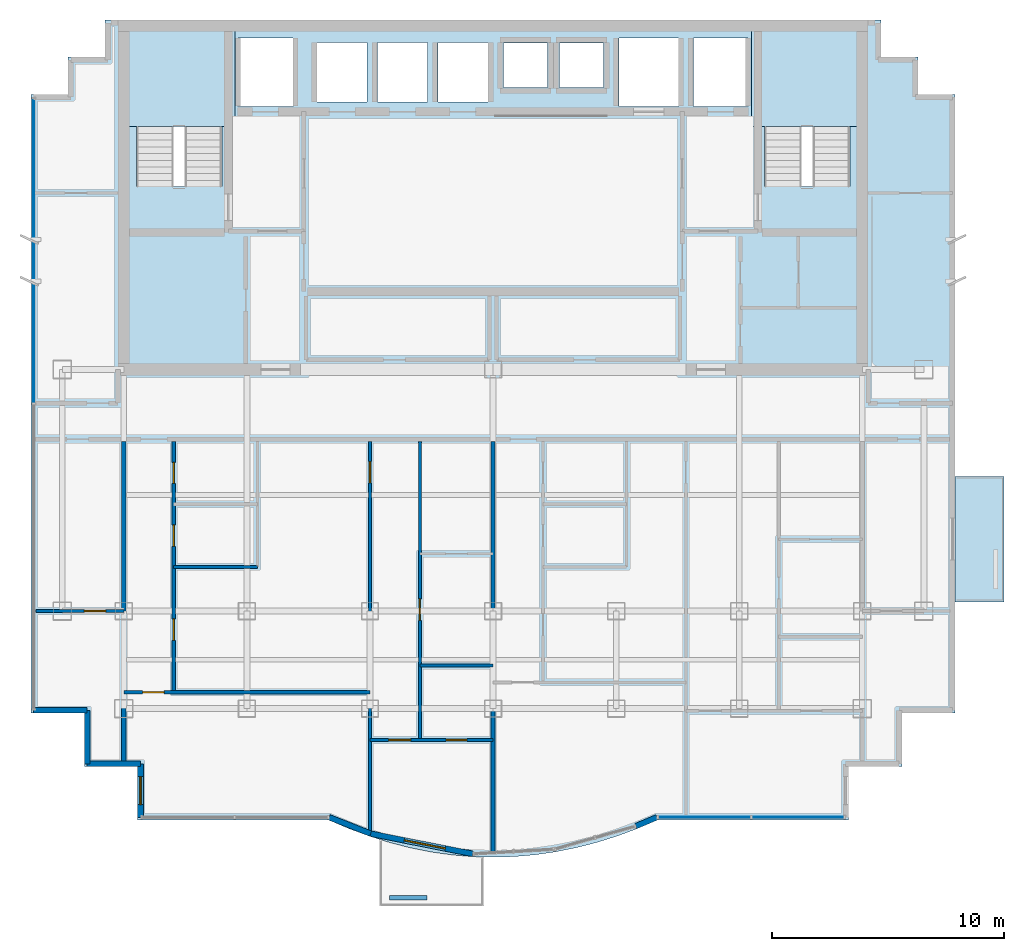
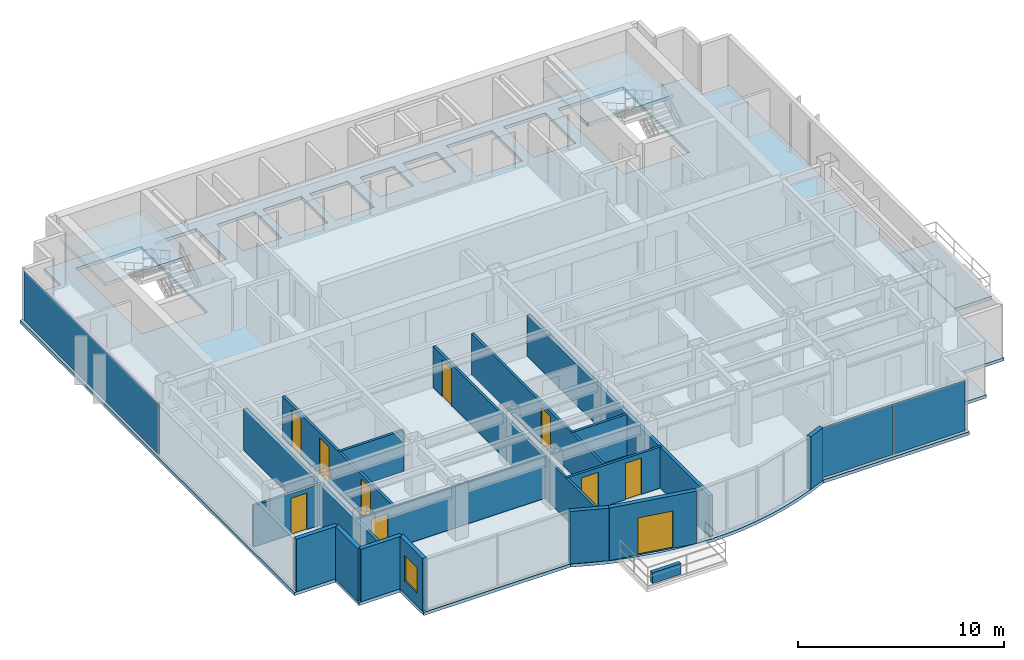
# One storey, part 6 of 11: 18 walls, 10 doors, 4 slabs, 3 plates, 1 window, 11 openings, 4 elements without a shape of their own.
"""IFC4 building model written with IfcOpenShell, lengths in metres."""

from ifc_helpers import new_model, si_unit, direction, frame, frame_2d, origin, origin_2d, place, context, subcontext, project, spatial, polyline, rectangle, outline, extrude, source, transform, mapped, material, layer, layer_set, type_object, element, fill, aggregate, save


model = new_model("IFC4")

# Units and contexts
model_context = context("Model", 3, precision=1e-05, world=origin(), true_north=direction((0.0, 1.0)))
body_context = subcontext(model_context, "Body", "Model", "MODEL_VIEW")
ifc_project = project(units=[si_unit("LENGTHUNIT", "METRE"), si_unit("AREAUNIT", "SQUARE_METRE"), si_unit("VOLUMEUNIT", "CUBIC_METRE"), si_unit("PLANEANGLEUNIT", "RADIAN"), si_unit("MASSUNIT", "GRAM", prefix="KILO")], contexts=[model_context])

# Site, building, storey
site_placement = place(None, origin())
site = spatial("IfcSite", under=ifc_project, at=site_placement, CompositionType="ELEMENT")
building_placement = place(site_placement, origin())
building = spatial("IfcBuilding", under=site, at=building_placement, Name="Qianlan Lanfeng Residences", CompositionType="ELEMENT")
storey_placement = place(building_placement, frame((0.0, 0.0, 226.39990234375)))
storey = spatial("IfcBuildingStorey", under=building, at=storey_placement, Name="L62", CompositionType="ELEMENT", Elevation=226.39990234375)

# Slabs
ifc_material_1 = material(Name="Concrete C42", Category="concrete")
ifc_layer_1 = layer(ifc_material_1, 0.199951171875)
ifc_layer_set_1 = layer_set([ifc_layer_1], Name="Concrete C42")
slab_type_1 = type_object("IfcSlabType", Name="S-BAL-200", PredefinedType="FLOOR", material=ifc_layer_set_1)
slab_1_placement = place(storey_placement, frame((0.0, 0.0, -0.199951171875)))
element("IfcSlab", 1, at=slab_1_placement, inside=storey, type_object=slab_type_1, Name="L62 Planted Tree Balcony Slab EB-S", PredefinedType="FLOOR", context=body_context, shape_type="SweptSolid", body=[
    extrude(outline(polyline([(46.39990234375, 20.60009765625), (46.39990234375, 15.199951171875), (48.5, 15.199951171875), (48.5, 20.60009765625), (46.39990234375, 20.60009765625)])), origin(), (0.0, 0.0, 1.0), 0.199951171875),
])
ifc_layer_2 = layer(ifc_material_1, 0.18994140625)
ifc_layer_set_2 = layer_set([ifc_layer_2], Name="Concrete C42")
slab_type_2 = type_object("IfcSlabType", Name="S-FL-190", PredefinedType="FLOOR", material=ifc_layer_set_2)
slab_2_placement = place(storey_placement, frame((0.0, 0.0, -0.18994140625)))
element("IfcSlab", 2, at=slab_2_placement, inside=storey, type_object=slab_type_2, Name="L62 Structural Floor Slab", PredefinedType="FLOOR", context=body_context, shape_type="SweptSolid", body=[
    extrude(outline(polyline([(6.60009765625, 10.39990234375), (8.89990234375, 10.39990234375), (8.89990234375, 8.10009765625), (11.199951171875, 8.10009765625), (11.199951171875, 5.800048828125), (19.419921875, 5.800048828125), (20.304931640625, 5.425048828125), (21.18994140625, 5.10009765625), (22.074951171875, 4.824951171875), (22.9599609375, 4.60009765625), (23.844970703125, 4.425048828125), (24.72998046875, 4.300048828125), (25.614990234375, 4.22509765625), (26.5, 4.199951171875), (27.385009765625, 4.22509765625), (28.27001953125, 4.300048828125), (29.155029296875, 4.425048828125), (30.0400390625, 4.60009765625), (30.925048828125, 4.824951171875), (31.81005859375, 5.10009765625), (32.695068359375, 5.425048828125), (33.580078125, 5.800048828125), (41.800048828125, 5.800048828125), (41.800048828125, 8.10009765625), (44.10009765625, 8.10009765625), (44.10009765625, 10.39990234375), (46.39990234375, 10.39990234375), (46.39990234375, 37.050048828125), (44.800048828125, 37.050048828125), (44.800048828125, 38.64990234375), (43.199951171875, 38.64990234375), (43.199951171875, 40.25), (9.800048828125, 40.25), (9.800048828125, 38.64990234375), (8.199951171875, 38.64990234375), (8.199951171875, 37.050048828125), (6.60009765625, 37.050048828125), (6.60009765625, 10.39990234375)]), holes=[polyline([(11.139892578125, 33.080078125), (11.139892578125, 39.5), (14.820068359375, 39.5), (14.820068359375, 33.080078125), (11.139892578125, 33.080078125)]), polyline([(38.179931640625, 33.080078125), (38.179931640625, 39.5), (41.860107421875, 39.5), (41.860107421875, 33.080078125), (38.179931640625, 33.080078125)]), polyline([(15.52001953125, 36.52001953125), (15.52001953125, 39.47998046875), (17.8798828125, 39.47998046875), (17.8798828125, 36.52001953125), (15.52001953125, 36.52001953125)]), polyline([(35.1201171875, 36.52001953125), (35.1201171875, 39.47998046875), (37.47998046875, 39.47998046875), (37.47998046875, 36.52001953125), (35.1201171875, 36.52001953125)]), polyline([(31.919921875, 36.52001953125), (31.919921875, 39.47998046875), (34.47998046875, 39.47998046875), (34.47998046875, 36.52001953125), (31.919921875, 36.52001953125)]), polyline([(18.919921875, 36.719970703125), (18.919921875, 39.280029296875), (21.080078125, 39.280029296875), (21.080078125, 36.719970703125), (18.919921875, 36.719970703125)]), polyline([(21.52001953125, 36.719970703125), (21.52001953125, 39.280029296875), (23.679931640625, 39.280029296875), (23.679931640625, 36.719970703125), (21.52001953125, 36.719970703125)]), polyline([(24.1201171875, 36.719970703125), (24.1201171875, 39.280029296875), (26.280029296875, 39.280029296875), (26.280029296875, 36.719970703125), (24.1201171875, 36.719970703125)]), polyline([(26.949951171875, 37.35009765625), (26.949951171875, 39.25), (28.85009765625, 39.25), (28.85009765625, 37.35009765625), (26.949951171875, 37.35009765625)]), polyline([(29.35009765625, 37.35009765625), (29.35009765625, 39.25), (31.25, 39.25), (31.25, 37.35009765625), (29.35009765625, 37.35009765625)])]), origin(), (0.0, 0.0, 1.0), 0.18994140625),
])

# Stair, slab
stair_type = type_object("IfcStairType", Name="STR-MAIN", PredefinedType="HALF_TURN_STAIR", material=ifc_material_1)
stair_1_placement = place(storey_placement, origin())
stair_1 = element("IfcStair", 3, at=stair_1_placement, inside=storey, type_object=stair_type, Name="L62 Exit Stair ST-1", PredefinedType="HALF_TURN_STAIR")
ifc_layer_3 = layer(ifc_material_1, 0.179931640625)
ifc_layer_set_3 = layer_set([ifc_layer_3], Name="Concrete C42")
slab_type_3 = type_object("IfcSlabType", Name="S-LND-180", PredefinedType="LANDING", material=ifc_layer_set_3)
slab_3_placement = place(storey_placement, frame((0.0, 0.0, 1.4501953125)))
slab_3 = element("IfcSlab", 4, at=slab_3_placement, type_object=slab_type_3, Name="ST-1 landing 1", PredefinedType="LANDING", context=body_context, shape_type="SweptSolid", body=[
    extrude(outline(polyline([(10.580078125, 35.659912109375), (15.3798828125, 35.659912109375), (15.3798828125, 40.050048828125), (10.580078125, 40.050048828125), (10.580078125, 35.659912109375)])), origin(), (0.0, 0.0, 1.0), 0.199951171875),
])
aggregate(stair_1, [slab_3])

stair_2_placement = place(storey_placement, origin())
stair_2 = element("IfcStair", 5, at=stair_2_placement, inside=storey, type_object=stair_type, Name="L62 Exit Stair ST-2", PredefinedType="HALF_TURN_STAIR")
slab_4_placement = place(storey_placement, frame((0.0, 0.0, 1.4501953125)))
slab_4 = element("IfcSlab", 6, at=slab_4_placement, type_object=slab_type_3, Name="ST-2 landing 1", PredefinedType="LANDING", context=body_context, shape_type="SweptSolid", body=[
    extrude(outline(polyline([(37.6201171875, 35.659912109375), (42.419921875, 35.659912109375), (42.419921875, 40.050048828125), (37.6201171875, 40.050048828125), (37.6201171875, 35.659912109375)])), origin(), (0.0, 0.0, 1.0), 0.199951171875),
])
aggregate(stair_2, [slab_4])

# Curtain wall, plate
ifc_material_2 = material(Name="Anodised Bronze Aluminium 6063-T6", Category="aluminium")
ifc_layer_4 = layer(ifc_material_2, 0.219970703125)
ifc_layer_set_4 = layer_set([ifc_layer_4], Name="Anodised Bronze Aluminium 6063-T6")
curtain_wall_type = type_object("IfcCurtainWallType", Name="CW-05", PredefinedType="NOTDEFINED", material=ifc_layer_set_4)
curtain_wall_1_placement = place(storey_placement, origin())
curtain_wall_1 = element("IfcCurtainWall", 7, at=curtain_wall_1_placement, inside=storey, type_object=curtain_wall_type, Name="L62 Unitised Curtain Wall CWR-L62-04 (CW-05)", PredefinedType="NOTDEFINED")
ifc_material_3 = material(Name="Dark Bronze Tinted Insulated Glass", Category="glass")
ifc_layer_5 = layer(ifc_material_3, 0.0380859375)
ifc_layer_set_5 = layer_set([ifc_layer_5], Name="Dark Bronze Tinted Insulated Glass")
plate_type_1 = type_object("IfcPlateType", Name="PNL-GLZ-BRZ", PredefinedType="CURTAIN_PANEL", material=ifc_layer_set_5)
shared_shape_1 = source(origin(), body_context, "Body", "SweptSolid", [
    extrude(rectangle(XDim=3.951416015625, YDim=0.0380859375, at=origin_2d()), origin(), (0.0, 0.0, 1.0), 2.9619140625),
])
plate_1_placement = place(storey_placement, frame((35.605712890625, 5.919921875, 0.07421875), z_axis=(0.0, 0.0, 1.0), x_axis=(1.0, 0.0, 0.0)))
plate_1 = element("IfcPlate", 8, at=plate_1_placement, type_object=plate_type_1, Name="CWR-L62-04 Curtain Panel 1", PredefinedType="CURTAIN_PANEL", context=body_context, shape_type="MappedRepresentation", body=[
    mapped(shared_shape_1, transform((0.0, 0.0, 0.0), scale=1.0)),
])

curtain_wall_2_placement = place(storey_placement, origin())
curtain_wall_2 = element("IfcCurtainWall", 9, at=curtain_wall_2_placement, inside=storey, type_object=curtain_wall_type, Name="L62 Unitised Curtain Wall CWR-L62-05 (CW-05)", PredefinedType="NOTDEFINED")
shared_shape_2 = source(origin(), body_context, "Body", "SweptSolid", [
    extrude(rectangle(XDim=13.094482421875, YDim=0.0380859375, at=origin_2d()), origin(), (0.0, 0.0, 1.0), 2.9619140625),
])
plate_2_placement = place(storey_placement, frame((6.719970703125, 30.30859375, 0.07421875), z_axis=(0.0, 0.0, 1.0), x_axis=(0.0, -1.0, 0.0)))
plate_2 = element("IfcPlate", 10, at=plate_2_placement, type_object=plate_type_1, Name="CWR-L62-05 Curtain Panel 1", PredefinedType="CURTAIN_PANEL", context=body_context, shape_type="MappedRepresentation", body=[
    mapped(shared_shape_2, transform((0.0, 0.0, 0.0), scale=1.0)),
])
aggregate(curtain_wall_2, [plate_2])

# Plate
ifc_material_4 = material(Name="Perforated Champagne Gold Aluminium Panel", Category="aluminium")
ifc_layer_6 = layer(ifc_material_4, 0.0400390625)
ifc_layer_set_6 = layer_set([ifc_layer_6], Name="Perforated Champagne Gold Aluminium Panel")
plate_type_2 = type_object("IfcPlateType", Name="PNL-PRF-GLD", PredefinedType="CURTAIN_PANEL", material=ifc_layer_set_6)
shared_shape_3 = source(origin(), body_context, "Body", "SweptSolid", [
    extrude(rectangle(XDim=3.951416015625, YDim=0.0400390625, at=origin_2d()), origin(), (0.0, 0.0, 1.0), 2.9619140625),
])
plate_3_placement = place(storey_placement, frame((39.630126953125, 5.919921875, 0.07421875), z_axis=(0.0, 0.0, 1.0), x_axis=(1.0, 0.0, 0.0)))
plate_3 = element("IfcPlate", 11, at=plate_3_placement, type_object=plate_type_2, Name="CWR-L62-04 Curtain Panel 2", PredefinedType="CURTAIN_PANEL", context=body_context, shape_type="MappedRepresentation", body=[
    mapped(shared_shape_3, transform((0.0, 0.0, 0.0), scale=1.0)),
])

aggregate(curtain_wall_1, [plate_1, plate_3])

# Walls
ifc_layer_7 = layer(ifc_material_1, 0.239990234375)
ifc_layer_set_7 = layer_set([ifc_layer_7], Name="Concrete C42")
wall_type_1 = type_object("IfcWallType", Name="EW-240", PredefinedType="SOLIDWALL", material=ifc_layer_set_7)
for number, where, z_axis, x_axis, name in (
    (12, (6.719970703125, 10.52001953125, 0.0), (0.0, 0.0, 1.0), (1.0, 0.0, 0.0), "L62 Exterior Facade Spandrel Wall 1"),
    (13, (9.02001953125, 10.52001953125, 0.0), (0.0, 0.0, 1.0), (0.0, -1.0, 0.0), "L62 Exterior Facade Spandrel Wall 2"),
    (14, (9.02001953125, 8.219970703125, 0.0), (0.0, 0.0, 1.0), (1.0, 0.0, 0.0), "L62 Exterior Facade Spandrel Wall 3"),
):
    element("IfcWall", number, at=place(storey_placement, frame(where, z_axis=z_axis, x_axis=x_axis)), inside=storey, type_object=wall_type_1, Name=name, PredefinedType="SOLIDWALL", context=body_context, shape_type="SweptSolid", body=[
        extrude(rectangle(XDim=2.300048828125, YDim=0.239990234375, at=frame_2d((1.14990234375, 0.0))), origin(), (0.0, 0.0, 1.0), 3.110107421875),
    ])

# Wall, opening, window
wall_1_placement = place(storey_placement, frame((11.320068359375, 8.219970703125, 0.0), z_axis=(0.0, 0.0, 1.0), x_axis=(0.0, -1.0, 0.0)))
wall_1 = element("IfcWall", 15, at=wall_1_placement, inside=storey, type_object=wall_type_1, Name="L62 Exterior Facade Spandrel Wall 4", PredefinedType="SOLIDWALL", context=body_context, shape_type="SweptSolid", body=[
    extrude(rectangle(XDim=2.300048828125, YDim=0.239990234375, at=frame_2d((1.14990234375, 0.0))), origin(), (0.0, 0.0, 1.0), 3.110107421875),
])
opening_1_placement = place(wall_1_placement, frame((0.550048828125, 0.0, 0.75)))
opening_1 = element("IfcOpeningElement", 16, at=opening_1_placement, cuts=wall_1, Name="Opening W-03", PredefinedType="OPENING", context=body_context, shape_type="SweptSolid", body=[
    extrude(rectangle(XDim=1.199951171875, YDim=1.5, at=frame_2d((0.60009765625, 0.75))), frame((0.0, 0.1298828125, 0.0), z_axis=(0.0, -1.0, 0.0), x_axis=(1.0, 0.0, 0.0)), (0.0, 0.0, 1.0), 0.260009765625),
])
ifc_material_5 = material(Name="Anodised Bronze Aluminium Framed Double Glazing", Category="aluminium")
window_type = type_object("IfcWindowType", Name="W-03", PartitioningType="SINGLE_PANEL", PredefinedType="WINDOW", material=ifc_material_5)
window_placement = place(opening_1_placement, origin())
window = element("IfcWindow", 17, at=window_placement, inside=storey, type_object=window_type, Name="L62 Facade Punched Window W-03", OverallHeight=1.5, OverallWidth=1.199951171875, PartitioningType="SINGLE_PANEL", PredefinedType="WINDOW", context=body_context, shape_type="SweptSolid", body=[
    extrude(rectangle(XDim=1.199951171875, YDim=1.5, at=frame_2d((0.60009765625, 0.75))), frame((0.0, 0.030029296875, 0.0), z_axis=(0.0, -1.0, 0.0), x_axis=(1.0, 0.0, 0.0)), (0.0, 0.0, 1.0), 0.06005859375),
])
fill(opening_1, window)

# Wall
wall_2_placement = place(storey_placement, frame((19.444091796875, 5.919921875, 0.0), z_axis=(0.0, 0.0, 1.0), x_axis=(0.92993442177, -0.367725401906, 0.0)))
element("IfcWall", 18, at=wall_2_placement, inside=storey, type_object=wall_type_1, Name="L62 Exterior Facade Spandrel Wall 5", PredefinedType="SOLIDWALL", context=body_context, shape_type="SweptSolid", body=[
    extrude(rectangle(XDim=1.91943359375, YDim=0.239990234375, at=frame_2d((0.959716796875, 0.0))), origin(), (0.0, 0.0, 1.0), 3.110107421875),
])

# Wall, opening, door
wall_3_placement = place(storey_placement, frame((21.22900390625, 5.214111328125, 0.0), z_axis=(0.0, 0.0, 1.0), x_axis=(0.980985349685, -0.194081796425, 0.0)))
wall_3 = element("IfcWall", 19, at=wall_3_placement, inside=storey, type_object=wall_type_1, Name="L62 Terrace/Balcony Access Exterior Wall 6", PredefinedType="SOLIDWALL", context=body_context, shape_type="SweptSolid", body=[
    extrude(rectangle(XDim=4.478271484375, YDim=0.239990234375, at=frame_2d((2.2392578125, 0.0))), origin(), (0.0, 0.0, 1.0), 3.110107421875),
])
opening_2_placement = place(wall_3_placement, frame((1.472900390625, 0.0, 0.0)))
opening_2 = element("IfcOpeningElement", 20, at=opening_2_placement, cuts=wall_3, Name="Opening L62-D-SB-C", PredefinedType="OPENING", context=body_context, shape_type="SweptSolid", body=[
    extrude(rectangle(XDim=1.800048828125, YDim=2.199951171875, at=frame_2d((0.89990234375, 1.10009765625))), frame((0.0, 0.1298828125, 0.0), z_axis=(0.0, -1.0, 0.0), x_axis=(1.0, 0.0, 0.0)), (0.0, 0.0, 1.0), 0.260009765625),
])
ifc_material_6 = material(Name="Anodised Bronze Aluminium Framed Glass", Category="aluminium")
door_type_1 = type_object("IfcDoorType", Name="DT-BAL1", OperationType="NOTDEFINED", PredefinedType="DOOR", material=ifc_material_6)
door_1_placement = place(opening_2_placement, frame((1.800048828125, 0.0, 0.0), z_axis=(0.0, 0.0, 1.0), x_axis=(-1.0, 0.0, 0.0)))
door_1 = element("IfcDoor", 21, at=door_1_placement, inside=storey, type_object=door_type_1, Name="L62 Exterior Access Door SB-C", OperationType="DOUBLE_DOOR_SLIDING", OverallHeight=2.199951171875, OverallWidth=1.800048828125, PredefinedType="DOOR", context=body_context, shape_type="SweptSolid", body=[
    extrude(rectangle(XDim=1.800048828125, YDim=2.199951171875, at=frame_2d((0.89990234375, 1.10009765625))), frame((0.0, 0.02490234375, 0.0), z_axis=(0.0, -1.0, 0.0), x_axis=(1.0, 0.0, 0.0)), (0.0, 0.0, 1.0), 0.050048828125),
])
fill(opening_2, door_1)

# Walls
wall_4_placement = place(storey_placement, frame((32.65087890625, 5.537109375, 0.0), z_axis=(0.0, 0.0, 1.0), x_axis=(0.920998109395, 0.389567044924, 0.0)))
element("IfcWall", 22, at=wall_4_placement, inside=storey, type_object=wall_type_1, Name="L62 Exterior Facade Spandrel Wall 7", PredefinedType="SOLIDWALL", context=body_context, shape_type="SweptSolid", body=[
    extrude(rectangle(XDim=0.982666015625, YDim=0.239990234375, at=frame_2d((0.4912109375, 0.0))), origin(), (0.0, 0.0, 1.0), 3.110107421875),
])
ifc_layer_8 = layer(ifc_material_1, 0.199951171875)
ifc_layer_set_8 = layer_set([ifc_layer_8], Name="Concrete C42")
wall_type_2 = type_object("IfcWallType", Name="PL-TREE-200", PredefinedType="PARAPET", material=ifc_layer_set_8)
wall_5_placement = place(storey_placement, frame((22.050048828125, 2.449951171875, 0.0), z_axis=(0.0, 0.0, 1.0), x_axis=(1.0, 0.0, 0.0)))
element("IfcWall", 23, at=wall_5_placement, inside=storey, type_object=wall_type_2, Name="L62 Balcony Tree Planter Curb SB-C", PredefinedType="PARAPET", context=body_context, shape_type="SweptSolid", body=[
    extrude(rectangle(XDim=1.599853515625, YDim=0.199951171875, at=frame_2d((0.7998046875, 0.0))), origin(), (0.0, 0.0, 1.0), 0.650146484375),
])

# Wall, opening, door
ifc_material_7 = material(Name="Moisture-Resistant Gypsum Partition 135 mm")
ifc_layer_9 = layer(ifc_material_7, 0.135009765625)
ifc_layer_set_9 = layer_set([ifc_layer_9], Name="Moisture-Resistant Gypsum Partition 135 mm")
wall_type_3 = type_object("IfcWallType", Name="PW-135", PredefinedType="PARTITIONING", material=ifc_layer_set_9)
wall_6_placement = place(storey_placement, frame((21.199951171875, 5.3310546875, 0.0), z_axis=(0.0, 0.0, 1.0), x_axis=(0.0, 1.0, 0.0)))
wall_6 = element("IfcWall", 24, at=wall_6_placement, inside=storey, type_object=wall_type_3, Name="L62 U01 Bay Spine Wall 1", PredefinedType="PARTITIONING", context=body_context, shape_type="SweptSolid", body=[
    extrude(rectangle(XDim=16.76904296875, YDim=0.135009765625, at=frame_2d((8.384521484375, 0.0))), origin(), (0.0, 0.0, 1.0), 2.43017578125),
])
opening_3_placement = place(wall_6_placement, frame((14.98388671875, 0.0, 0.0)))
opening_3 = element("IfcOpeningElement", 25, at=opening_3_placement, cuts=wall_6, Name="Opening L62-D18", PredefinedType="OPENING", context=body_context, shape_type="SweptSolid", body=[
    extrude(rectangle(XDim=0.919921875, YDim=2.14990234375, at=frame_2d((0.4599609375, 1.074951171875))), frame((0.0, 0.07763671875, 0.0), z_axis=(0.0, -1.0, 0.0), x_axis=(1.0, 0.0, 0.0)), (0.0, 0.0, 1.0), 0.155029296875),
])
ifc_material_8 = material(Name="Glazed Timber Kitchen/Study Door", Category="wood")
door_type_2 = type_object("IfcDoorType", Name="DT-INT", OperationType="NOTDEFINED", PredefinedType="DOOR", material=ifc_material_8)
door_2_placement = place(opening_3_placement, origin())
door_2 = element("IfcDoor", 26, at=door_2_placement, inside=storey, type_object=door_type_2, Name="L62 U01 Internal Hall Door L62-D18 (DT-INT)", OperationType="SINGLE_SWING_LEFT", OverallHeight=2.14990234375, OverallWidth=0.919921875, PredefinedType="DOOR", context=body_context, shape_type="SweptSolid", body=[
    extrude(rectangle(XDim=0.919921875, YDim=2.14990234375, at=frame_2d((0.4599609375, 1.074951171875))), frame((0.0, 0.02490234375, 0.0), z_axis=(0.0, -1.0, 0.0), x_axis=(1.0, 0.0, 0.0)), (0.0, 0.0, 1.0), 0.050048828125),
])
fill(opening_3, door_2)

wall_7_placement = place(storey_placement, frame((10.60009765625, 11.302978515625, 0.0), z_axis=(0.0, 0.0, 1.0), x_axis=(1.0, 0.0, 0.0)))
wall_7 = element("IfcWall", 27, at=wall_7_placement, inside=storey, type_object=wall_type_3, Name="L62 U01 Living Divider", PredefinedType="PARTITIONING", context=body_context, shape_type="SweptSolid", body=[
    extrude(rectangle(XDim=10.599853515625, YDim=0.135009765625, at=frame_2d((5.2998046875, 0.0))), origin(), (0.0, 0.0, 1.0), 2.43017578125),
])
opening_4_placement = place(wall_7_placement, frame((0.81494140625, 0.0, 0.0)))
opening_4 = element("IfcOpeningElement", 28, at=opening_4_placement, cuts=wall_7, Name="Opening L62-D19", PredefinedType="OPENING", context=body_context, shape_type="SweptSolid", body=[
    extrude(rectangle(XDim=0.919921875, YDim=2.14990234375, at=frame_2d((0.4599609375, 1.074951171875))), frame((0.0, 0.07763671875, 0.0), z_axis=(0.0, -1.0, 0.0), x_axis=(1.0, 0.0, 0.0)), (0.0, 0.0, 1.0), 0.155029296875),
])
door_3_placement = place(opening_4_placement, origin())
door_3 = element("IfcDoor", 29, at=door_3_placement, inside=storey, type_object=door_type_2, Name="L62 U01 Living Passage Door L62-D19 (DT-INT)", OperationType="SINGLE_SWING_LEFT", OverallHeight=2.14990234375, OverallWidth=0.919921875, PredefinedType="DOOR", context=body_context, shape_type="SweptSolid", body=[
    extrude(rectangle(XDim=0.919921875, YDim=2.14990234375, at=frame_2d((0.4599609375, 1.074951171875))), frame((0.0, 0.02490234375, 0.0), z_axis=(0.0, -1.0, 0.0), x_axis=(1.0, 0.0, 0.0)), (0.0, 0.0, 1.0), 0.050048828125),
])
fill(opening_4, door_3)

# Wall, openings, doors
wall_8_placement = place(storey_placement, frame((12.75, 11.302978515625, 0.0), z_axis=(0.0, 0.0, 1.0), x_axis=(0.0, 1.0, 0.0)))
wall_8 = element("IfcWall", 30, at=wall_8_placement, inside=storey, type_object=wall_type_3, Name="L62 U01 Entry Hall Spine", PredefinedType="PARTITIONING", context=body_context, shape_type="SweptSolid", body=[
    extrude(rectangle(XDim=10.797119140625, YDim=0.135009765625, at=frame_2d((5.3984375, 0.0))), origin(), (0.0, 0.0, 1.0), 2.43017578125),
])
opening_5_placement = place(wall_8_placement, frame((2.239013671875, 0.0, 0.0)))
opening_5 = element("IfcOpeningElement", 31, at=opening_5_placement, cuts=wall_8, Name="Opening L62-D20", PredefinedType="OPENING", context=body_context, shape_type="SweptSolid", body=[
    extrude(rectangle(XDim=0.919921875, YDim=2.14990234375, at=frame_2d((0.4599609375, 1.074951171875))), frame((0.0, 0.07763671875, 0.0), z_axis=(0.0, -1.0, 0.0), x_axis=(1.0, 0.0, 0.0)), (0.0, 0.0, 1.0), 0.155029296875),
])
opening_6_placement = place(wall_8_placement, frame((6.287109375, 0.0, 0.0)))
opening_6 = element("IfcOpeningElement", 32, at=opening_6_placement, cuts=wall_8, Name="Opening L62-D21", PredefinedType="OPENING", context=body_context, shape_type="SweptSolid", body=[
    extrude(rectangle(XDim=0.919921875, YDim=2.14990234375, at=frame_2d((0.4599609375, 1.074951171875))), frame((0.0, 0.07763671875, 0.0), z_axis=(0.0, -1.0, 0.0), x_axis=(1.0, 0.0, 0.0)), (0.0, 0.0, 1.0), 0.155029296875),
])
opening_7_placement = place(wall_8_placement, frame((8.9970703125, 0.0, 0.0)))
opening_7 = element("IfcOpeningElement", 33, at=opening_7_placement, cuts=wall_8, Name="Opening L62-D22", PredefinedType="OPENING", context=body_context, shape_type="SweptSolid", body=[
    extrude(rectangle(XDim=0.89990234375, YDim=2.14990234375, at=frame_2d((0.449951171875, 1.074951171875))), frame((0.0, 0.07763671875, 0.0), z_axis=(0.0, -1.0, 0.0), x_axis=(1.0, 0.0, 0.0)), (0.0, 0.0, 1.0), 0.155029296875),
])
door_4_placement = place(opening_5_placement, origin())
door_4 = element("IfcDoor", 34, at=door_4_placement, inside=storey, type_object=door_type_2, Name="L62 U01 Study Door L62-D20 (DT-INT)", OperationType="SINGLE_SWING_LEFT", OverallHeight=2.14990234375, OverallWidth=0.919921875, PredefinedType="DOOR", context=body_context, shape_type="SweptSolid", body=[
    extrude(rectangle(XDim=0.919921875, YDim=2.14990234375, at=frame_2d((0.4599609375, 1.074951171875))), frame((0.0, 0.02490234375, 0.0), z_axis=(0.0, -1.0, 0.0), x_axis=(1.0, 0.0, 0.0)), (0.0, 0.0, 1.0), 0.050048828125),
])
fill(opening_5, door_4)
door_5_placement = place(opening_6_placement, origin())
door_5 = element("IfcDoor", 35, at=door_5_placement, inside=storey, type_object=door_type_2, Name="L62 U01 Kitchen Door L62-D21 (DT-INT)", OperationType="SINGLE_SWING_RIGHT", OverallHeight=2.14990234375, OverallWidth=0.919921875, PredefinedType="DOOR", context=body_context, shape_type="SweptSolid", body=[
    extrude(rectangle(XDim=0.919921875, YDim=2.14990234375, at=frame_2d((0.4599609375, 1.074951171875))), frame((0.0, 0.02490234375, 0.0), z_axis=(0.0, -1.0, 0.0), x_axis=(1.0, 0.0, 0.0)), (0.0, 0.0, 1.0), 0.050048828125),
])
fill(opening_6, door_5)
ifc_material_9 = material(Name="Moisture-Resistant Timber Leaf", Category="wood")
door_type_3 = type_object("IfcDoorType", Name="DT-WC", OperationType="NOTDEFINED", PredefinedType="DOOR", material=ifc_material_9)
door_6_placement = place(opening_7_placement, origin())
door_6 = element("IfcDoor", 36, at=door_6_placement, inside=storey, type_object=door_type_3, Name="L62 U01 Bathroom Door L62-D22 (DT-WC)", OperationType="SINGLE_SWING_LEFT", OverallHeight=2.14990234375, OverallWidth=0.89990234375, PredefinedType="DOOR", context=body_context, shape_type="SweptSolid", body=[
    extrude(rectangle(XDim=0.89990234375, YDim=2.14990234375, at=frame_2d((0.449951171875, 1.074951171875))), frame((0.0, 0.02490234375, 0.0), z_axis=(0.0, -1.0, 0.0), x_axis=(1.0, 0.0, 0.0)), (0.0, 0.0, 1.0), 0.050048828125),
])
fill(opening_7, door_6)

# Wall
wall_9_placement = place(storey_placement, frame((12.75, 16.699951171875, 0.0), z_axis=(0.0, 0.0, 1.0), x_axis=(1.0, 0.0, 0.0)))
element("IfcWall", 37, at=wall_9_placement, inside=storey, type_object=wall_type_3, Name="L62 U01 Kitchen South Wall", PredefinedType="PARTITIONING", context=body_context, shape_type="SweptSolid", body=[
    extrude(rectangle(XDim=3.60009765625, YDim=0.135009765625, at=frame_2d((1.800048828125, 0.0))), origin(), (0.0, 0.0, 1.0), 2.43017578125),
])

# Wall, openings, doors
wall_10_placement = place(storey_placement, frame((21.199951171875, 9.248046875, 0.0), z_axis=(0.0, 0.0, 1.0), x_axis=(1.0, 0.0, 0.0)))
wall_10 = element("IfcWall", 38, at=wall_10_placement, inside=storey, type_object=wall_type_3, Name="L62 U01 Master Bedroom North Wall", PredefinedType="PARTITIONING", context=body_context, shape_type="SweptSolid", body=[
    extrude(rectangle(XDim=5.300048828125, YDim=0.135009765625, at=frame_2d((2.64990234375, 0.0))), origin(), (0.0, 0.0, 1.0), 2.43017578125),
])
opening_8_placement = place(wall_10_placement, frame((0.800048828125, 0.0, 0.0)))
opening_8 = element("IfcOpeningElement", 39, at=opening_8_placement, cuts=wall_10, Name="Opening L62-D23", PredefinedType="OPENING", context=body_context, shape_type="SweptSolid", body=[
    extrude(rectangle(XDim=0.949951171875, YDim=2.14990234375, at=frame_2d((0.47509765625, 1.074951171875))), frame((0.0, 0.07763671875, 0.0), z_axis=(0.0, -1.0, 0.0), x_axis=(1.0, 0.0, 0.0)), (0.0, 0.0, 1.0), 0.155029296875),
])
opening_9_placement = place(wall_10_placement, frame((3.27490234375, 0.0, 0.0)))
opening_9 = element("IfcOpeningElement", 40, at=opening_9_placement, cuts=wall_10, Name="Opening L62-D24", PredefinedType="OPENING", context=body_context, shape_type="SweptSolid", body=[
    extrude(rectangle(XDim=0.89990234375, YDim=2.14990234375, at=frame_2d((0.449951171875, 1.074951171875))), frame((0.0, 0.07763671875, 0.0), z_axis=(0.0, -1.0, 0.0), x_axis=(1.0, 0.0, 0.0)), (0.0, 0.0, 1.0), 0.155029296875),
])
ifc_material_10 = material(Name="Painted Solid-Core Timber Leaf", Category="wood")
door_type_4 = type_object("IfcDoorType", Name="DT-BED", OperationType="NOTDEFINED", PredefinedType="DOOR", material=ifc_material_10)
door_7_placement = place(opening_8_placement, origin())
door_7 = element("IfcDoor", 41, at=door_7_placement, inside=storey, type_object=door_type_4, Name="L62 U01 Master Bedroom Door L62-D23 (DT-BED)", OperationType="SINGLE_SWING_LEFT", OverallHeight=2.14990234375, OverallWidth=0.949951171875, PredefinedType="DOOR", context=body_context, shape_type="SweptSolid", body=[
    extrude(rectangle(XDim=0.949951171875, YDim=2.14990234375, at=frame_2d((0.47509765625, 1.074951171875))), frame((0.0, 0.02490234375, 0.0), z_axis=(0.0, -1.0, 0.0), x_axis=(1.0, 0.0, 0.0)), (0.0, 0.0, 1.0), 0.050048828125),
])
fill(opening_8, door_7)
door_8_placement = place(opening_9_placement, origin())
door_8 = element("IfcDoor", 42, at=door_8_placement, inside=storey, type_object=door_type_3, Name="L62 U01 En-Suite Bathroom Door L62-D24 (DT-WC)", OperationType="SINGLE_SWING_LEFT", OverallHeight=2.14990234375, OverallWidth=0.89990234375, PredefinedType="DOOR", context=body_context, shape_type="SweptSolid", body=[
    extrude(rectangle(XDim=0.89990234375, YDim=2.14990234375, at=frame_2d((0.449951171875, 1.074951171875))), frame((0.0, 0.02490234375, 0.0), z_axis=(0.0, -1.0, 0.0), x_axis=(1.0, 0.0, 0.0)), (0.0, 0.0, 1.0), 0.050048828125),
])
fill(opening_9, door_8)

# Wall, opening, door
wall_11_placement = place(storey_placement, frame((23.35009765625, 9.248046875, 0.0), z_axis=(0.0, 0.0, 1.0), x_axis=(0.0, 1.0, 0.0)))
wall_11 = element("IfcWall", 43, at=wall_11_placement, inside=storey, type_object=wall_type_3, Name="L62 U01 Master Passage Wall", PredefinedType="PARTITIONING", context=body_context, shape_type="SweptSolid", body=[
    extrude(rectangle(XDim=12.85205078125, YDim=0.135009765625, at=frame_2d((6.426025390625, 0.0))), origin(), (0.0, 0.0, 1.0), 2.43017578125),
])
opening_10_placement = place(wall_11_placement, frame((5.153076171875, 0.0, 0.0)))
opening_10 = element("IfcOpeningElement", 44, at=opening_10_placement, cuts=wall_11, Name="Opening L62-D25", PredefinedType="OPENING", context=body_context, shape_type="SweptSolid", body=[
    extrude(rectangle(XDim=0.919921875, YDim=2.14990234375, at=frame_2d((0.4599609375, 1.074951171875))), frame((0.0, 0.07763671875, 0.0), z_axis=(0.0, -1.0, 0.0), x_axis=(1.0, 0.0, 0.0)), (0.0, 0.0, 1.0), 0.155029296875),
])
door_9_placement = place(opening_10_placement, origin())
door_9 = element("IfcDoor", 45, at=door_9_placement, inside=storey, type_object=door_type_2, Name="L62 U01 Wardrobe Door L62-D25 (DT-INT)", OperationType="SINGLE_SWING_RIGHT", OverallHeight=2.14990234375, OverallWidth=0.919921875, PredefinedType="DOOR", context=body_context, shape_type="SweptSolid", body=[
    extrude(rectangle(XDim=0.919921875, YDim=2.14990234375, at=frame_2d((0.4599609375, 1.074951171875))), frame((0.0, 0.02490234375, 0.0), z_axis=(0.0, -1.0, 0.0), x_axis=(1.0, 0.0, 0.0)), (0.0, 0.0, 1.0), 0.050048828125),
])
fill(opening_10, door_9)

# Wall
wall_12_placement = place(storey_placement, frame((23.35009765625, 12.447998046875, 0.0), z_axis=(0.0, 0.0, 1.0), x_axis=(1.0, 0.0, 0.0)))
element("IfcWall", 46, at=wall_12_placement, inside=storey, type_object=wall_type_3, Name="L62 U01 En-Suite North Wall", PredefinedType="PARTITIONING", context=body_context, shape_type="SweptSolid", body=[
    extrude(rectangle(XDim=3.14990234375, YDim=0.135009765625, at=frame_2d((1.574951171875, 0.0))), origin(), (0.0, 0.0, 1.0), 2.43017578125),
])

# Wall, opening, door
wall_13_placement = place(storey_placement, frame((6.820068359375, 14.800048828125, 0.0), z_axis=(0.0, 0.0, 1.0), x_axis=(1.0, 0.0, 0.0)))
wall_13 = element("IfcWall", 47, at=wall_13_placement, inside=storey, type_object=wall_type_3, Name="L62 SWP Mid Partition", PredefinedType="PARTITIONING", context=body_context, shape_type="SweptSolid", body=[
    extrude(rectangle(XDim=3.780029296875, YDim=0.135009765625, at=frame_2d((1.89013671875, 0.0))), origin(), (0.0, 0.0, 1.0), 2.43017578125),
])
opening_11_placement = place(wall_13_placement, frame((2.080078125, 0.0, 0.0)))
opening_11 = element("IfcOpeningElement", 48, at=opening_11_placement, cuts=wall_13, Name="Opening L62-D37", PredefinedType="OPENING", context=body_context, shape_type="SweptSolid", body=[
    extrude(rectangle(XDim=0.919921875, YDim=2.14990234375, at=frame_2d((0.4599609375, 1.074951171875))), frame((0.0, 0.07763671875, 0.0), z_axis=(0.0, -1.0, 0.0), x_axis=(1.0, 0.0, 0.0)), (0.0, 0.0, 1.0), 0.155029296875),
])
door_10_placement = place(opening_11_placement, origin())
door_10 = element("IfcDoor", 49, at=door_10_placement, inside=storey, type_object=door_type_2, Name="L62 SWP Inner Door L62-D37 (DT-INT)", OperationType="SINGLE_SWING_LEFT", OverallHeight=2.14990234375, OverallWidth=0.919921875, PredefinedType="DOOR", context=body_context, shape_type="SweptSolid", body=[
    extrude(rectangle(XDim=0.919921875, YDim=2.14990234375, at=frame_2d((0.4599609375, 1.074951171875))), frame((0.0, 0.02490234375, 0.0), z_axis=(0.0, -1.0, 0.0), x_axis=(1.0, 0.0, 0.0)), (0.0, 0.0, 1.0), 0.050048828125),
])
fill(opening_11, door_10)

# Walls
ifc_material_11 = material(Name="Double-Layer Acoustic Gypsum Stud Wall 180 mm")
ifc_layer_10 = layer(ifc_material_11, 0.179931640625)
ifc_layer_set_10 = layer_set([ifc_layer_10], Name="Double-Layer Acoustic Gypsum Stud Wall 180 mm")
wall_type_4 = type_object("IfcWallType", Name="PW-180", PredefinedType="PARTITIONING", material=ifc_layer_set_10)
wall_14_placement = place(storey_placement, frame((10.60009765625, 8.320068359375, 0.0), z_axis=(0.0, 0.0, 1.0), x_axis=(0.0, 1.0, 0.0)))
element("IfcWall", 50, at=wall_14_placement, inside=storey, type_object=wall_type_4, Name="L62 Wing Boundary Party Wall W0", PredefinedType="PARTITIONING", context=body_context, shape_type="SweptSolid", body=[
    extrude(rectangle(XDim=13.780029296875, YDim=0.179931640625, at=frame_2d((6.89013671875, 0.0))), origin(), (0.0, 0.0, 1.0), 2.43017578125),
])
wall_15_placement = place(storey_placement, frame((26.5, 4.419921875, 0.0), z_axis=(0.0, 0.0, 1.0), x_axis=(0.0, 1.0, 0.0)))
element("IfcWall", 51, at=wall_15_placement, inside=storey, type_object=wall_type_4, Name="L62 Inter-Tenancy Party Wall 2", PredefinedType="PARTITIONING", context=body_context, shape_type="SweptSolid", body=[
    extrude(rectangle(XDim=17.68017578125, YDim=0.179931640625, at=frame_2d((8.840087890625, 0.0))), origin(), (0.0, 0.0, 1.0), 2.43017578125),
])

save(model, "model.ifc")
